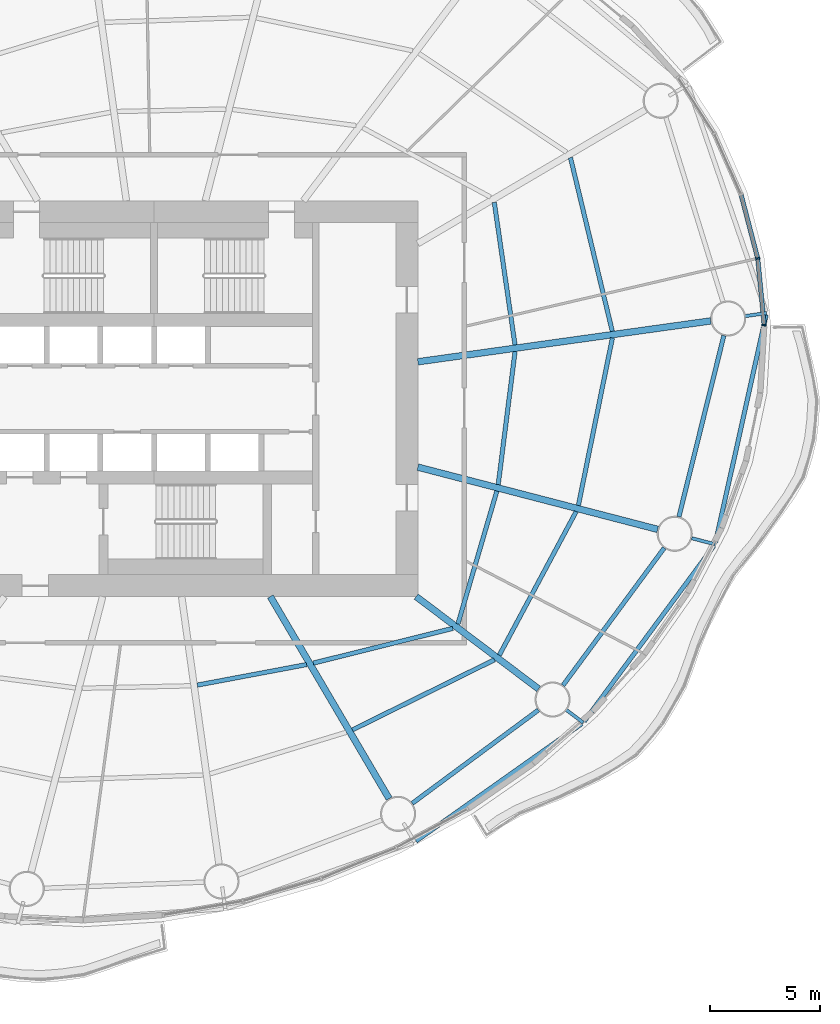
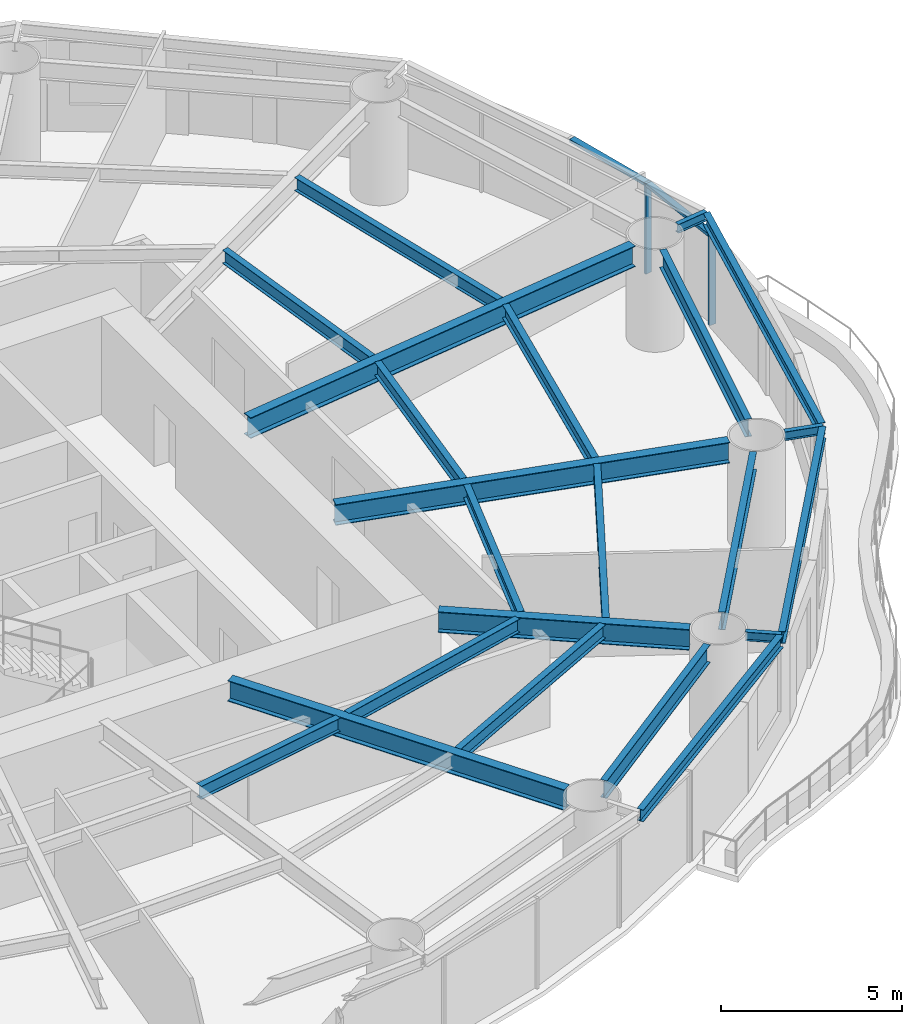
# One storey, part 4 of 16: 22 beams, 4 members, 2 elements without a shape of their own.
"""IFC4 building model written with IfcOpenShell, lengths in metres."""

from ifc_helpers import new_model, si_unit, direction, frame, origin, origin_2d, place, context, subcontext, project, spatial, rectangle, i_section, extrude, material, material_profile, profile_set, type_object, element, aggregate, save


model = new_model("IFC4")

# Units and contexts
model_context = context("Model", 3, precision=1e-05, world=origin(), true_north=direction((0.0, 1.0)))
body_context = subcontext(model_context, "Body", "Model", "MODEL_VIEW")
ifc_project = project(units=[si_unit("LENGTHUNIT", "METRE"), si_unit("AREAUNIT", "SQUARE_METRE"), si_unit("VOLUMEUNIT", "CUBIC_METRE"), si_unit("PLANEANGLEUNIT", "RADIAN"), si_unit("MASSUNIT", "GRAM", prefix="KILO")], contexts=[model_context])

# Site, building, storey
site_placement = place(None, origin())
site = spatial("IfcSite", under=ifc_project, at=site_placement, CompositionType="ELEMENT")
building_placement = place(site_placement, origin())
building = spatial("IfcBuilding", under=site, at=building_placement, Name="Vermilion Reach Broadcast Tower", CompositionType="ELEMENT")
storey_placement = place(building_placement, frame((0.0, 0.0, 110.199951171875)))
storey = spatial("IfcBuildingStorey", under=building, at=storey_placement, Name="L25", CompositionType="ELEMENT", Elevation=110.199951171875)

# Beams
ifc_material_1 = material(Name="Steel S355J2", Category="steel")
ifc_material_profile_1 = material_profile(ifc_material_1, i_section(OverallWidth=0.199951171875, OverallDepth=0.39990234375, WebThickness=0.008056640625, FlangeThickness=0.012939453125, at=origin_2d()), Name="S355J2 HN 400x200x8x13")
ifc_profile_set_1 = profile_set([ifc_material_profile_1], Name="Steel S355J2")
beam_type_1 = type_object("IfcBeamType", Name="EB2 HN 400x200x8x13", PredefinedType="BEAM", material=ifc_profile_set_1)
beam_1_placement = place(storey_placement, frame((5.914306640625, -20.118896484375, 3.25), z_axis=(0.816232679245, 0.577723301704, 0.0), x_axis=(-0.577723301704, 0.816232679245, 0.0)))
element("IfcBeam", 1, at=beam_1_placement, inside=storey, type_object=beam_type_1, Name="Edge beam EB2-13", PredefinedType="BEAM", context=body_context, shape_type="SweptSolid", body=[
    extrude(i_section(OverallWidth=0.199951171875, OverallDepth=0.39990234375, WebThickness=0.008056640625, FlangeThickness=0.012939453125, at=origin_2d()), origin(), (0.0, 0.0, 1.0), 9.239013671875),
])
beam_2_placement = place(storey_placement, frame((13.564208984375, -14.675537109375, 3.25), z_axis=(0.594274254035, 0.804262463995, 0.0), x_axis=(-0.804262463995, 0.594274254035, 0.0)))
element("IfcBeam", 2, at=beam_2_placement, inside=storey, type_object=beam_type_1, Name="Edge beam EB2-14", PredefinedType="BEAM", context=body_context, shape_type="SweptSolid", body=[
    extrude(i_section(OverallWidth=0.199951171875, OverallDepth=0.39990234375, WebThickness=0.008056640625, FlangeThickness=0.012939453125, at=origin_2d()), origin(), (0.0, 0.0, 1.0), 9.932373046875),
])
beam_3_placement = place(storey_placement, frame((19.531005859375, -6.549072265625, 3.25), z_axis=(0.217436958046, 0.976074366673, 0.0), x_axis=(-0.976074366673, 0.217436958046, 0.0)))
element("IfcBeam", 3, at=beam_3_placement, inside=storey, type_object=beam_type_1, Name="Edge beam EB2-15", PredefinedType="BEAM", context=body_context, shape_type="SweptSolid", body=[
    extrude(i_section(OverallWidth=0.199951171875, OverallDepth=0.39990234375, WebThickness=0.008056640625, FlangeThickness=0.012939453125, at=origin_2d()), origin(), (0.0, 0.0, 1.0), 10.614990234375),
])
ifc_material_2 = material(Name="Steel S355J2", Category="steel")
ifc_material_profile_2 = material_profile(ifc_material_2, i_section(OverallWidth=0.300048828125, OverallDepth=0.699951171875, WebThickness=0.012939453125, FlangeThickness=0.02392578125, at=origin_2d()), Name="S355J2 HN 700x300x13x24")
ifc_profile_set_2 = profile_set([ifc_material_profile_2], Name="Steel S355J2")
beam_type_2 = type_object("IfcBeamType", Name="G2 HN 700x300x13x24", PredefinedType="BEAM", material=ifc_profile_set_2)
beam_4_placement = place(storey_placement, frame((-0.709228515625, -9.0, 3.10009765625), z_axis=(0.506783943634, -0.862073102744, 0.0), x_axis=(0.862073102744, 0.506783943634, 0.0)))
element("IfcBeam", 4, at=beam_4_placement, inside=storey, type_object=beam_type_2, Name="Girder G2-13", PredefinedType="BEAM", context=body_context, shape_type="SweptSolid", body=[
    extrude(i_section(OverallWidth=0.300048828125, OverallDepth=0.699951171875, WebThickness=0.012939453125, FlangeThickness=0.02392578125, at=origin_2d()), origin(), (0.0, 0.0, 1.0), 10.661865234375),
])
beam_5_placement = place(storey_placement, frame((5.921630859375, -9.0, 3.10009765625), z_axis=(0.798113534072, -0.602507084382, 0.0), x_axis=(0.602507084382, 0.798113534072, 0.0)))
element("IfcBeam", 5, at=beam_5_placement, inside=storey, type_object=beam_type_2, Name="Girder G2-14", PredefinedType="BEAM", context=body_context, shape_type="SweptSolid", body=[
    extrude(i_section(OverallWidth=0.300048828125, OverallDepth=0.699951171875, WebThickness=0.012939453125, FlangeThickness=0.02392578125, at=origin_2d()), origin(), (0.0, 0.0, 1.0), 6.971923828125),
])
beam_6_placement = place(storey_placement, frame((6.0, -3.114501953125, 3.10009765625), z_axis=(0.967926079816, -0.2512351568, 0.0), x_axis=(0.2512351568, 0.967926079816, 0.0)))
element("IfcBeam", 6, at=beam_6_placement, inside=storey, type_object=beam_type_2, Name="Girder G2-15", PredefinedType="BEAM", context=body_context, shape_type="SweptSolid", body=[
    extrude(i_section(OverallWidth=0.300048828125, OverallDepth=0.699951171875, WebThickness=0.012939453125, FlangeThickness=0.02392578125, at=origin_2d()), origin(), (0.0, 0.0, 1.0), 11.265625),
])
beam_7_placement = place(storey_placement, frame((6.0, 1.67578125, 3.10009765625), z_axis=(0.990389457618, 0.138306623986, 0.0), x_axis=(-0.138306623986, 0.990389457618, 0.0)))
element("IfcBeam", 7, at=beam_7_placement, inside=storey, type_object=beam_type_2, Name="Girder G2-16", PredefinedType="BEAM", context=body_context, shape_type="SweptSolid", body=[
    extrude(i_section(OverallWidth=0.300048828125, OverallDepth=0.699951171875, WebThickness=0.012939453125, FlangeThickness=0.02392578125, at=origin_2d()), origin(), (0.0, 0.0, 1.0), 13.445556640625),
])
ifc_material_3 = material(Name="Steel S355J2", Category="steel")
ifc_material_profile_3 = material_profile(ifc_material_3, i_section(OverallWidth=0.14990234375, OverallDepth=0.300048828125, WebThickness=0.006591796875, FlangeThickness=0.009033203125, at=origin_2d()), Name="S355J2 HN 300x150x6.5x9")
ifc_profile_set_3 = profile_set([ifc_material_profile_3], Name="Steel S355J2")
beam_type_3 = type_object("IfcBeamType", Name="GS2 HN 300x150x6.5x9", PredefinedType="BEAM", material=ifc_profile_set_3)
beam_8_placement = place(storey_placement, frame((12.7216796875, -14.13330078125, 3.300048828125), z_axis=(0.798091683473, -0.602536027779, 0.0), x_axis=(0.602536027779, 0.798091683473, 0.0)))
element("IfcBeam", 8, at=beam_8_placement, inside=storey, type_object=beam_type_3, Name="Cantilever stub GS2-14", PredefinedType="BEAM", context=body_context, shape_type="SweptSolid", body=[
    extrude(i_section(OverallWidth=0.14990234375, OverallDepth=0.300048828125, WebThickness=0.006591796875, FlangeThickness=0.009033203125, at=origin_2d()), origin(), (0.0, 0.0, 1.0), 1.0),
])
beam_9_placement = place(storey_placement, frame((18.452880859375, -6.3466796875, 3.300048828125), z_axis=(0.967916749873, -0.251271099243, 0.0), x_axis=(0.251271099243, 0.967916749873, 0.0)))
element("IfcBeam", 9, at=beam_9_placement, inside=storey, type_object=beam_type_3, Name="Cantilever stub GS2-15", PredefinedType="BEAM", context=body_context, shape_type="SweptSolid", body=[
    extrude(i_section(OverallWidth=0.14990234375, OverallDepth=0.300048828125, WebThickness=0.006591796875, FlangeThickness=0.009033203125, at=origin_2d()), origin(), (0.0, 0.0, 1.0), 1.096923828125),
])
beam_10_placement = place(storey_placement, frame((20.865966796875, 3.751953125, 3.300048828125), z_axis=(0.990408003315, 0.13817375644, 0.0), x_axis=(-0.13817375644, 0.990408003315, 0.0)))
element("IfcBeam", 10, at=beam_10_placement, inside=storey, type_object=beam_type_3, Name="Cantilever stub GS2-16", PredefinedType="BEAM", context=body_context, shape_type="SweptSolid", body=[
    extrude(i_section(OverallWidth=0.14990234375, OverallDepth=0.300048828125, WebThickness=0.006591796875, FlangeThickness=0.009033203125, at=origin_2d()), origin(), (0.0, 0.0, 1.0), 1.0),
])
ifc_material_4 = material(Name="Steel S355J2", Category="steel")
ifc_material_profile_4 = material_profile(ifc_material_4, i_section(OverallWidth=0.199951171875, OverallDepth=0.60009765625, WebThickness=0.010986328125, FlangeThickness=0.01708984375, at=origin_2d()), Name="S355J2 HN 600x200x11x17")
ifc_profile_set_4 = profile_set([ifc_material_profile_4], Name="Steel S355J2")
beam_type_4 = type_object("IfcBeamType", Name="RB2 HN 600x200x11x17", PredefinedType="BEAM", material=ifc_profile_set_4)
beam_11_placement = place(storey_placement, frame((5.74267578125, -18.4052734375, 3.150146484375), z_axis=(0.803832742218, 0.594855379515, 0.0), x_axis=(-0.594855379515, 0.803832742218, 0.0)))
element("IfcBeam", 11, at=beam_11_placement, inside=storey, type_object=beam_type_4, Name="Ring beam RB2-13", PredefinedType="BEAM", context=body_context, shape_type="SweptSolid", body=[
    extrude(i_section(OverallWidth=0.199951171875, OverallDepth=0.60009765625, WebThickness=0.010986328125, FlangeThickness=0.01708984375, at=origin_2d()), origin(), (0.0, 0.0, 1.0), 7.13916015625),
])
beam_12_placement = place(storey_placement, frame((12.59912109375, -13.03857421875, 3.150146484375), z_axis=(0.593250534798, 0.80501788984, 0.0), x_axis=(-0.80501788984, 0.593250534798, 0.0)))
element("IfcBeam", 12, at=beam_12_placement, inside=storey, type_object=beam_type_4, Name="Ring beam RB2-14", PredefinedType="BEAM", context=body_context, shape_type="SweptSolid", body=[
    extrude(i_section(OverallWidth=0.199951171875, OverallDepth=0.60009765625, WebThickness=0.010986328125, FlangeThickness=0.01708984375, at=origin_2d()), origin(), (0.0, 0.0, 1.0), 7.76220703125),
])
beam_13_placement = place(storey_placement, frame((17.871337890625, -5.369384765625, 3.150146484375), z_axis=(0.240863809798, 0.970558924089, 0.0), x_axis=(-0.970558924089, 0.240863809798, 0.0)))
element("IfcBeam", 13, at=beam_13_placement, inside=storey, type_object=beam_type_4, Name="Ring beam RB2-15", PredefinedType="BEAM", context=body_context, shape_type="SweptSolid", body=[
    extrude(i_section(OverallWidth=0.199951171875, OverallDepth=0.60009765625, WebThickness=0.010986328125, FlangeThickness=0.01708984375, at=origin_2d()), origin(), (0.0, 0.0, 1.0), 8.489013671875),
])
ifc_material_5 = material(Name="Steel S355J2", Category="steel")
ifc_material_profile_5 = material_profile(ifc_material_5, i_section(OverallWidth=0.199951171875, OverallDepth=0.449951171875, WebThickness=0.009033203125, FlangeThickness=0.013916015625, at=origin_2d()), Name="S355J2 HN 450x200x9x14")
ifc_profile_set_5 = profile_set([ifc_material_profile_5], Name="Steel S355J2")
beam_type_5 = type_object("IfcBeamType", Name="SB2 HN 450x200x9x14", PredefinedType="BEAM", material=ifc_profile_set_5)
beam_14_placement = place(storey_placement, frame((-4.029296875, -13.026611328125, 3.22509765625), z_axis=(0.982782890015, 0.184764149915, 0.0), x_axis=(-0.184764149915, 0.982782890015, 0.0)))
element("IfcBeam", 14, at=beam_14_placement, inside=storey, type_object=beam_type_5, Name="Secondary beam SB2-12-1", PredefinedType="BEAM", context=body_context, shape_type="SweptSolid", body=[
    extrude(i_section(OverallWidth=0.199951171875, OverallDepth=0.449951171875, WebThickness=0.009033203125, FlangeThickness=0.013916015625, at=origin_2d()), origin(), (0.0, 0.0, 1.0), 5.051513671875),
])
beam_15_placement = place(storey_placement, frame((1.24365234375, -12.026123046875, 3.22509765625), z_axis=(0.970396717612, 0.241516480695, 0.0), x_axis=(-0.241516480695, 0.970396717612, 0.0)))
element("IfcBeam", 15, at=beam_15_placement, inside=storey, type_object=beam_type_5, Name="Secondary beam SB2-13-1", PredefinedType="BEAM", context=body_context, shape_type="SweptSolid", body=[
    extrude(i_section(OverallWidth=0.199951171875, OverallDepth=0.449951171875, WebThickness=0.009033203125, FlangeThickness=0.013916015625, at=origin_2d()), origin(), (0.0, 0.0, 1.0), 6.539306640625),
])
beam_16_placement = place(storey_placement, frame((3.02783203125, -15.06103515625, 3.22509765625), z_axis=(0.896648255868, 0.442743611189, 0.0), x_axis=(-0.442743611189, 0.896648255868, 0.0)))
element("IfcBeam", 16, at=beam_16_placement, inside=storey, type_object=beam_type_5, Name="Secondary beam SB2-13-2", PredefinedType="BEAM", context=body_context, shape_type="SweptSolid", body=[
    extrude(i_section(OverallWidth=0.199951171875, OverallDepth=0.449951171875, WebThickness=0.009033203125, FlangeThickness=0.013916015625, at=origin_2d()), origin(), (0.0, 0.0, 1.0), 7.19677734375),
])
beam_17_placement = place(storey_placement, frame((7.821533203125, -10.246337890625, 3.22509765625), z_axis=(0.281175657723, 0.959656318431, 0.0), x_axis=(-0.959656318431, 0.281175657723, 0.0)))
element("IfcBeam", 17, at=beam_17_placement, inside=storey, type_object=beam_type_5, Name="Secondary beam SB2-14-1", PredefinedType="BEAM", context=body_context, shape_type="SweptSolid", body=[
    extrude(i_section(OverallWidth=0.199951171875, OverallDepth=0.449951171875, WebThickness=0.009033203125, FlangeThickness=0.013916015625, at=origin_2d()), origin(), (0.0, 0.0, 1.0), 6.298583984375),
])
beam_18_placement = place(storey_placement, frame((9.702880859375, -11.66650390625, 3.22509765625), z_axis=(0.471821551693, 0.881694064491, 0.0), x_axis=(-0.881694064491, 0.471821551693, 0.0)))
element("IfcBeam", 18, at=beam_18_placement, inside=storey, type_object=beam_type_5, Name="Secondary beam SB2-14-2", PredefinedType="BEAM", context=body_context, shape_type="SweptSolid", body=[
    extrude(i_section(OverallWidth=0.199951171875, OverallDepth=0.449951171875, WebThickness=0.009033203125, FlangeThickness=0.013916015625, at=origin_2d()), origin(), (0.0, 0.0, 1.0), 7.405029296875),
])
beam_19_placement = place(storey_placement, frame((9.65380859375, -3.907958984375, 3.22509765625), z_axis=(0.125557241128, 0.992086376885, 0.0), x_axis=(-0.992086376885, 0.125557241128, 0.0)))
element("IfcBeam", 19, at=beam_19_placement, inside=storey, type_object=beam_type_5, Name="Secondary beam SB2-15-1", PredefinedType="BEAM", context=body_context, shape_type="SweptSolid", body=[
    extrude(i_section(OverallWidth=0.199951171875, OverallDepth=0.449951171875, WebThickness=0.009033203125, FlangeThickness=0.013916015625, at=origin_2d()), origin(), (0.0, 0.0, 1.0), 6.097900390625),
])
beam_20_placement = place(storey_placement, frame((13.29931640625, -4.854248046875, 3.22509765625), z_axis=(0.19906416804, 0.979986457561, 0.0), x_axis=(-0.979986457561, 0.19906416804, 0.0)))
element("IfcBeam", 20, at=beam_20_placement, inside=storey, type_object=beam_type_5, Name="Secondary beam SB2-15-2", PredefinedType="BEAM", context=body_context, shape_type="SweptSolid", body=[
    extrude(i_section(OverallWidth=0.199951171875, OverallDepth=0.449951171875, WebThickness=0.009033203125, FlangeThickness=0.013916015625, at=origin_2d()), origin(), (0.0, 0.0, 1.0), 7.76953125),
])
beam_21_placement = place(storey_placement, frame((10.417236328125, 2.444091796875, 3.22509765625), z_axis=(-0.143973706518, 0.989581513485, 0.0), x_axis=(-0.989581513485, -0.143973706518, 0.0)))
element("IfcBeam", 21, at=beam_21_placement, inside=storey, type_object=beam_type_5, Name="Secondary beam SB2-16-1", PredefinedType="BEAM", context=body_context, shape_type="SweptSolid", body=[
    extrude(i_section(OverallWidth=0.199951171875, OverallDepth=0.449951171875, WebThickness=0.009033203125, FlangeThickness=0.013916015625, at=origin_2d()), origin(), (0.0, 0.0, 1.0), 6.547119140625),
])
beam_22_placement = place(storey_placement, frame((14.84228515625, 3.06201171875, 3.22509765625), z_axis=(-0.234260568382, 0.972173845617, 0.0), x_axis=(-0.972173845617, -0.234260568382, 0.0)))
element("IfcBeam", 22, at=beam_22_placement, inside=storey, type_object=beam_type_5, Name="Secondary beam SB2-16-2", PredefinedType="BEAM", context=body_context, shape_type="SweptSolid", body=[
    extrude(i_section(OverallWidth=0.199951171875, OverallDepth=0.449951171875, WebThickness=0.009033203125, FlangeThickness=0.013916015625, at=origin_2d()), origin(), (0.0, 0.0, 1.0), 8.123779296875),
])

# Curtain wall, member
ifc_material_6 = material(Name="Low-e laminated clear glass in aluminium frame", Category="aluminium")
curtain_wall_type = type_object("IfcCurtainWallType", Name="Slot curtain wall", PredefinedType="NOTDEFINED", material=ifc_material_6)
placement = place(storey_placement, origin())
curtain_wall_1 = element("IfcCurtainWall", 23, at=placement, inside=storey, type_object=curtain_wall_type, Name="Slot curtain wall L25 46", PredefinedType="NOTDEFINED")
ifc_material_7 = material(Name="Anodised aluminium", Category="aluminium")
ifc_material_profile_6 = material_profile(ifc_material_7, rectangle(XDim=0.199951171875, YDim=0.080078125, at=origin_2d()), Name="Slot mullion 80 x 200")
ifc_profile_set_6 = profile_set([ifc_material_profile_6], Name="Anodised aluminium")
member_type_1 = type_object("IfcMemberType", Name="Slot mullion 80 x 200", PredefinedType="MULLION", material=ifc_profile_set_6)
member_1_placement = place(storey_placement, frame((21.74853515625, 3.346923828125, 0.0), z_axis=(0.0, 0.0, 1.0), x_axis=(-0.999806702697, -0.019661059019, 0.0)))
member_1 = element("IfcMember", 24, at=member_1_placement, type_object=member_type_1, Name="Slot mullion L25 46", PredefinedType="MULLION", context=body_context, shape_type="SweptSolid", body=[
    extrude(rectangle(XDim=0.199951171875, YDim=0.080078125, at=origin_2d()), origin(), (0.0, 0.0, 1.0), 3.050048828125),
])

curtain_wall_2 = element("IfcCurtainWall", 25, at=placement, inside=storey, type_object=curtain_wall_type, Name="Slot curtain wall L25 47", PredefinedType="NOTDEFINED")
member_2_placement = place(storey_placement, frame((21.453857421875, 6.375732421875, 0.0), z_axis=(0.0, 0.0, 1.0), x_axis=(-0.984530324389, -0.175214269849, 0.0)))
member_2 = element("IfcMember", 26, at=member_2_placement, type_object=member_type_1, Name="Slot mullion L25 47", PredefinedType="MULLION", context=body_context, shape_type="SweptSolid", body=[
    extrude(rectangle(XDim=0.199951171875, YDim=0.080078125, at=origin_2d()), origin(), (0.0, 0.0, 1.0), 3.050048828125),
])

# Member
ifc_material_8 = material(Name="Anodised aluminium", Category="aluminium")
ifc_material_profile_7 = material_profile(ifc_material_8, rectangle(XDim=0.199951171875, YDim=0.10009765625, at=origin_2d()), Name="Slot transom 200 x 100")
ifc_profile_set_7 = profile_set([ifc_material_profile_7], Name="Anodised aluminium")
member_type_2 = type_object("IfcMemberType", Name="Slot transom 200 x 100", PredefinedType="USERDEFINED", material=ifc_profile_set_7)
member_3_placement = place(storey_placement, frame((21.74462890625, 3.38671875, 3.0), z_axis=(-0.096811319025, 0.995302752186, 0.0), x_axis=(-0.995302752186, -0.096811319025, 0.0)))
member_3 = element("IfcMember", 27, at=member_3_placement, type_object=member_type_2, Name="Slot transom L25 46.1", ObjectType="TRANSOM", PredefinedType="USERDEFINED", context=body_context, shape_type="SweptSolid", body=[
    extrude(rectangle(XDim=0.199951171875, YDim=0.10009765625, at=origin_2d()), origin(), (0.0, 0.0, 1.0), 2.963134765625),
])

aggregate(curtain_wall_1, [member_1, member_3])

member_4_placement = place(storey_placement, frame((21.44384765625, 6.414306640625, 3.0), z_axis=(-0.252516637304, 0.967592552619, 0.0), x_axis=(-0.967592552619, -0.252516637304, 0.0)))
member_4 = element("IfcMember", 28, at=member_4_placement, type_object=member_type_2, Name="Slot transom L25 47.1", ObjectType="TRANSOM", PredefinedType="USERDEFINED", context=body_context, shape_type="SweptSolid", body=[
    extrude(rectangle(XDim=0.199951171875, YDim=0.10009765625, at=origin_2d()), origin(), (0.0, 0.0, 1.0), 2.937255859375),
])

aggregate(curtain_wall_2, [member_2, member_4])

save(model, "model.ifc")
